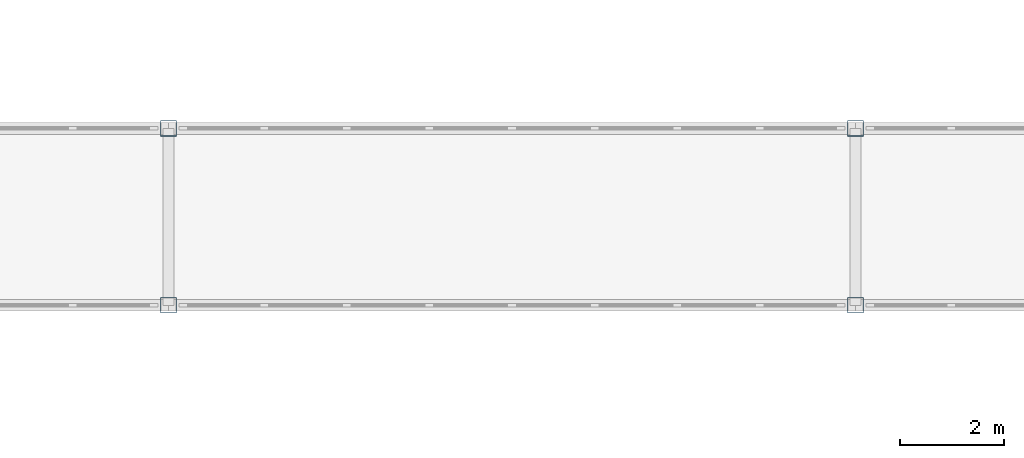
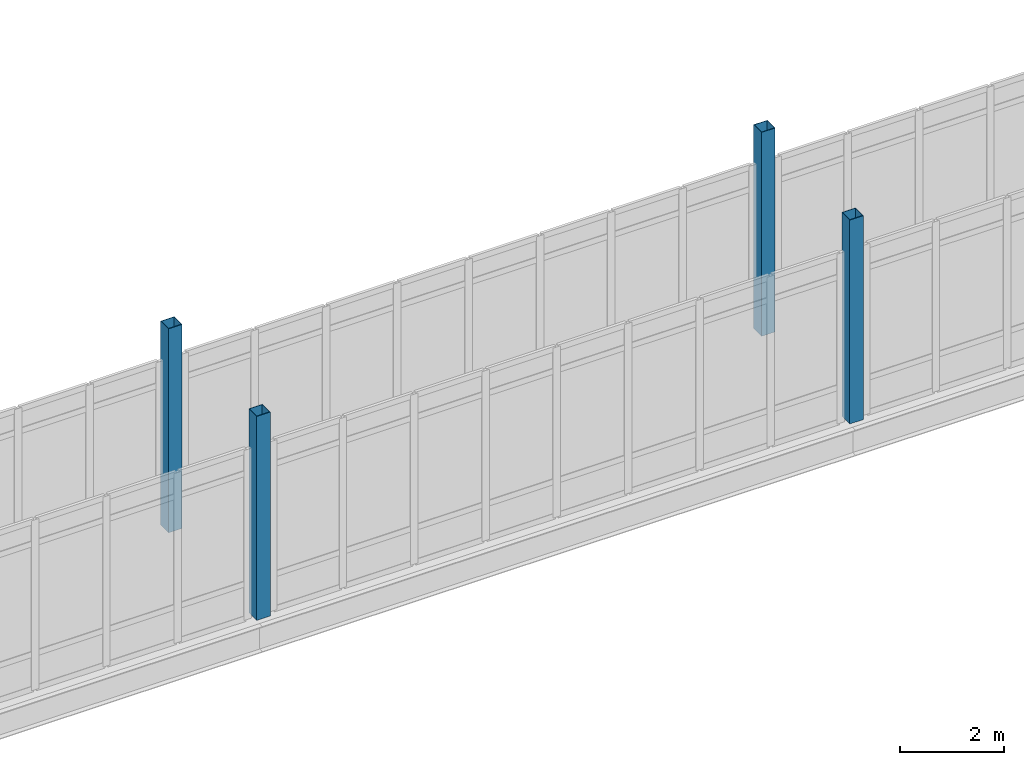
# One storey, part 10 of 125: 4 columns.
"""IFC4 building model written with IfcOpenShell, lengths in metres."""

from ifc_helpers import new_model, si_unit, direction, frame, origin, origin_2d, place, context, subcontext, project, spatial, hollow_rectangle, extrude, material, material_profile, profile_set, type_object, element, save


model = new_model("IFC4")

# Units and contexts
model_context = context("Model", 3, precision=1e-05, world=origin(), true_north=direction((0.0, 1.0)))
body_context = subcontext(model_context, "Body", "Model", "MODEL_VIEW")
ifc_project = project(units=[si_unit("LENGTHUNIT", "METRE"), si_unit("AREAUNIT", "SQUARE_METRE"), si_unit("VOLUMEUNIT", "CUBIC_METRE"), si_unit("PLANEANGLEUNIT", "RADIAN"), si_unit("MASSUNIT", "GRAM", prefix="KILO")], contexts=[model_context])

# Site, building, storey
site_placement = place(None, origin())
site = spatial("IfcSite", under=ifc_project, at=site_placement, CompositionType="ELEMENT")
building_placement = place(site_placement, origin())
building = spatial("IfcBuilding", under=site, at=building_placement, Name="Dornvale Research Institute", CompositionType="ELEMENT")
storey_placement = place(building_placement, frame((0.0, 0.0, 5.39990234375)))
storey = spatial("IfcBuildingStorey", under=building, at=storey_placement, Name="L01", CompositionType="ELEMENT", Elevation=5.39990234375)

# Columns
ifc_material = material(Name="Steel ASTM A500 Grade C", Category="steel")
ifc_material_profile = material_profile(ifc_material, hollow_rectangle(XDim=0.304931640625, YDim=0.304931640625, WallThickness=0.01171875, at=origin_2d()), Name="HSS305X305X12.7")
ifc_profile_set = profile_set([ifc_material_profile], Name="Steel ASTM A500 Grade C")
column_type = type_object("IfcColumnType", Name="Column_Steel_HSS305_Ext", PredefinedType="COLUMN", material=ifc_profile_set)
for number, where, z_axis, x_axis, name in (
    (1, (72.60009765625, 113.10009765625, 0.0), (0.0, 0.0, 1.0), (1.0, 0.0, 0.0), "L01 cloister link bridge pier #6"),
    (2, (85.800048828125, 113.10009765625, 0.0), (0.0, 0.0, 1.0), (1.0, 0.0, 0.0), "L01 cloister link bridge pier #9"),
    (3, (72.60009765625, 116.5, 0.0), (0.0, 0.0, 1.0), (1.0, 0.0, 0.0), "L01 cloister link bridge pier #21"),
    (4, (85.800048828125, 116.5, 0.0), (0.0, 0.0, 1.0), (1.0, 0.0, 0.0), "L01 cloister link bridge pier #24"),
):
    element("IfcColumn", number, at=place(storey_placement, frame(where, z_axis=z_axis, x_axis=x_axis)), inside=storey, type_object=column_type, Name=name, PredefinedType="COLUMN", context=body_context, shape_type="SweptSolid", body=[
        extrude(hollow_rectangle(XDim=0.304931640625, YDim=0.304931640625, WallThickness=0.01171875, at=origin_2d()), origin(), (0.0, 0.0, 1.0), 4.800048828125),
    ])

save(model, "model.ifc")
